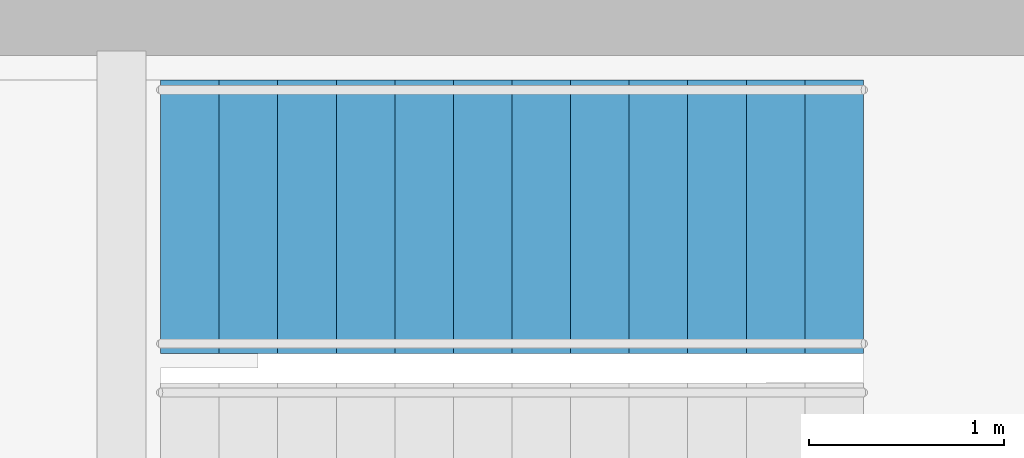
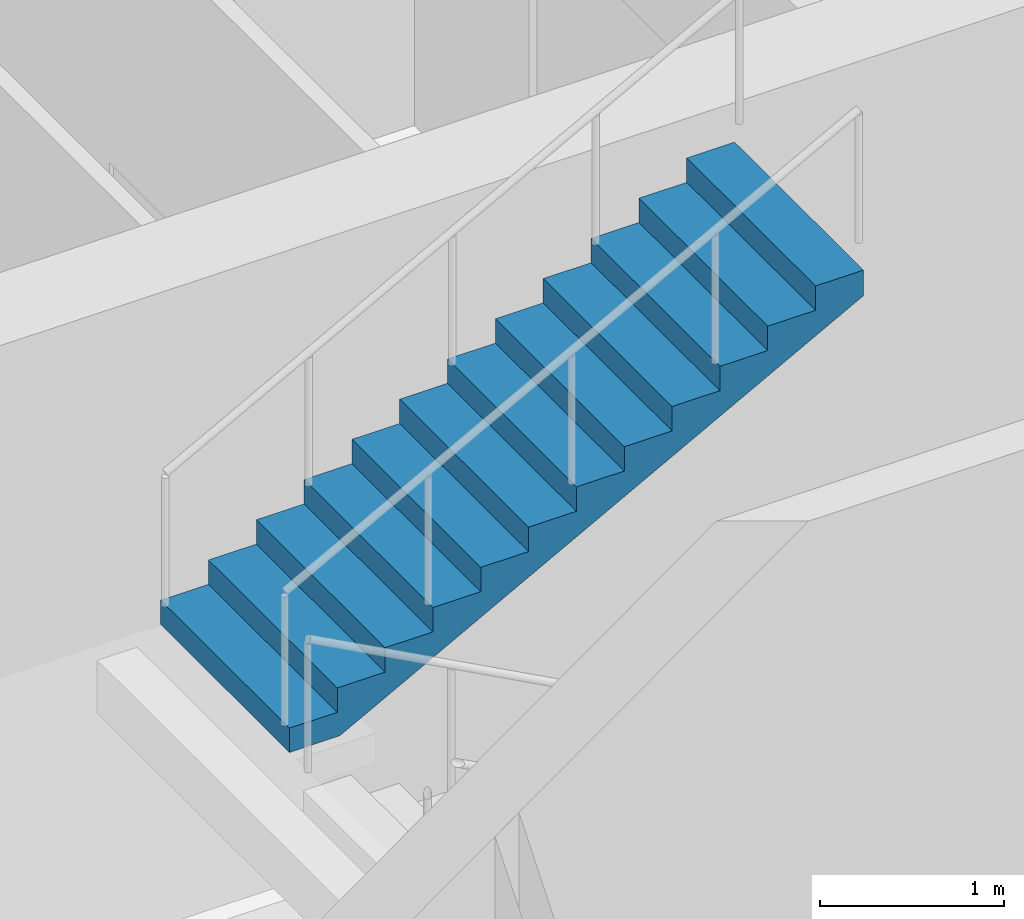
# One storey, part 11 of 13: 1 stair flight, 1 element without a shape of its own.
"""IFC4 building model written with IfcOpenShell, lengths in metres."""

from ifc_helpers import new_model, si_unit, direction, frame, origin, place, context, subcontext, project, spatial, polyline, outline, extrude, material, type_object, element, aggregate, save


model = new_model("IFC4")

# Units and contexts
model_context = context("Model", 3, precision=1e-05, world=origin(), true_north=direction((0.0, 1.0)))
body_context = subcontext(model_context, "Body", "Model", "MODEL_VIEW")
ifc_project = project(units=[si_unit("LENGTHUNIT", "METRE"), si_unit("AREAUNIT", "SQUARE_METRE"), si_unit("VOLUMEUNIT", "CUBIC_METRE"), si_unit("PLANEANGLEUNIT", "RADIAN"), si_unit("MASSUNIT", "GRAM", prefix="KILO")], contexts=[model_context])

# Site, building, storey
site_placement = place(None, origin())
site = spatial("IfcSite", under=ifc_project, at=site_placement, CompositionType="ELEMENT")
building_placement = place(site_placement, origin())
building = spatial("IfcBuilding", under=site, at=building_placement, Name="Msitu Wima Residences", CompositionType="ELEMENT")
storey_placement = place(building_placement, frame((0.0, 0.0, 289.5)))
storey = spatial("IfcBuildingStorey", under=building, at=storey_placement, Name="L67", CompositionType="ELEMENT", Elevation=289.5)

# Stair, stair flight
ifc_material = material(Name="Concrete C40/50", Category="concrete")
stair_type = type_object("IfcStairType", Name="Exit stair ES1615-140", PredefinedType="HALF_TURN_STAIR", material=ifc_material)
stair_placement = place(storey_placement, origin())
stair = element("IfcStair", 1, at=stair_placement, inside=storey, type_object=stair_type, Name="Exit stair 3", PredefinedType="HALF_TURN_STAIR")
stair_flight_type = type_object("IfcStairFlightType", Name="Exit stair flight ES1615-140", PredefinedType="STRAIGHT", material=ifc_material)
stair_flight_placement = place(storey_placement, frame((8.27490234375, 10.574951171875, 2.10009765625), z_axis=(0.0, 0.0, 1.0), x_axis=(1.0, 0.0, 0.0)))
stair_flight = element("IfcStairFlight", 2, at=stair_flight_placement, type_object=stair_flight_type, Name="S3 flight 2", NumberOfRisers=13, NumberOfTreads=12, PredefinedType="STRAIGHT", RiserHeight=0.161538462, TreadLength=0.3, context=body_context, shape_type="SweptSolid", body=[
    extrude(outline(polyline([(0.0, 0.0), (0.0, 0.16162109375), (0.300048828125, 0.16162109375), (0.300048828125, 0.322998046875), (0.60009765625, 0.322998046875), (0.60009765625, 0.484619140625), (0.89990234375, 0.484619140625), (0.89990234375, 0.646240234375), (1.199951171875, 0.646240234375), (1.199951171875, 0.8076171875), (1.5, 0.8076171875), (1.5, 0.96923828125), (1.800048828125, 0.96923828125), (1.800048828125, 1.130859375), (2.10009765625, 1.130859375), (2.10009765625, 1.292236328125), (2.39990234375, 1.292236328125), (2.39990234375, 1.453857421875), (2.699951171875, 1.453857421875), (2.699951171875, 1.615478515625), (3.0, 1.615478515625), (3.0, 1.77685546875), (3.300048828125, 1.77685546875), (3.300048828125, 1.9384765625), (3.60009765625, 1.9384765625), (3.60009765625, 2.10009765625), (3.60009765625, 1.768310546875), (0.316162109375, 0.0), (0.0, 0.0)])), frame((0.0, 0.699951171875, 0.0), z_axis=(0.0, -1.0, 0.0), x_axis=(1.0, 0.0, 0.0)), (0.0, 0.0, 1.0), 1.39990234375),
])
aggregate(stair, [stair_flight])

save(model, "model.ifc")
